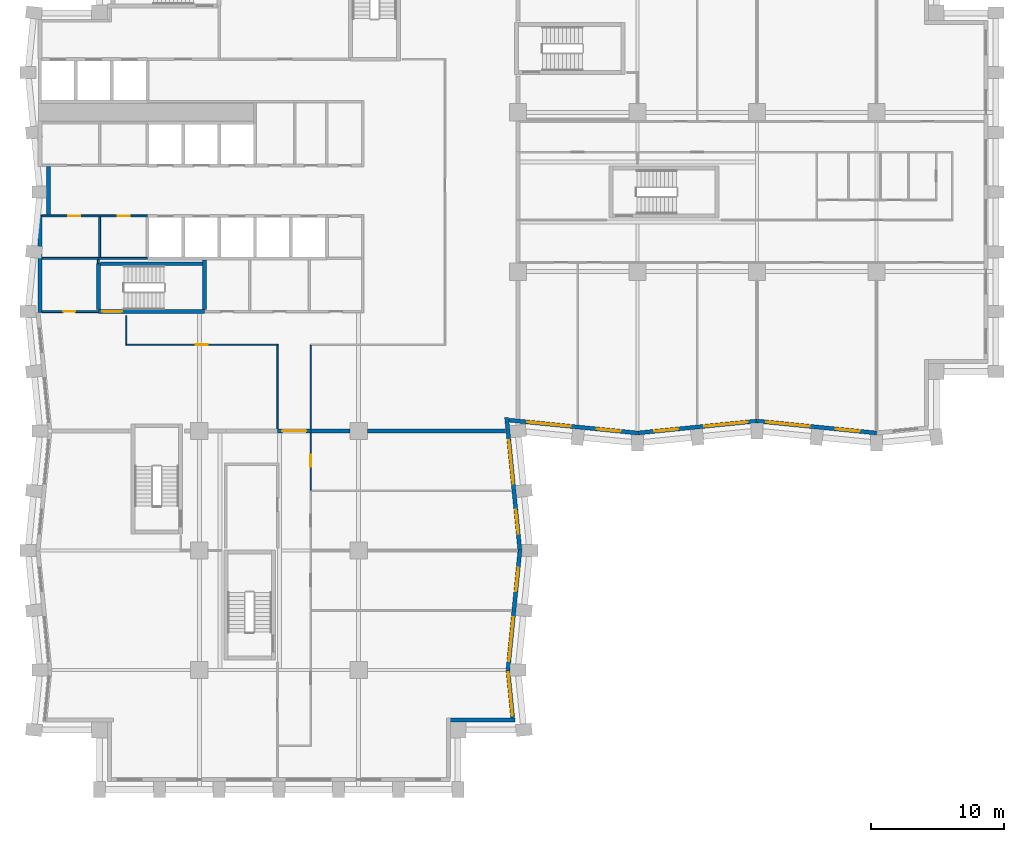
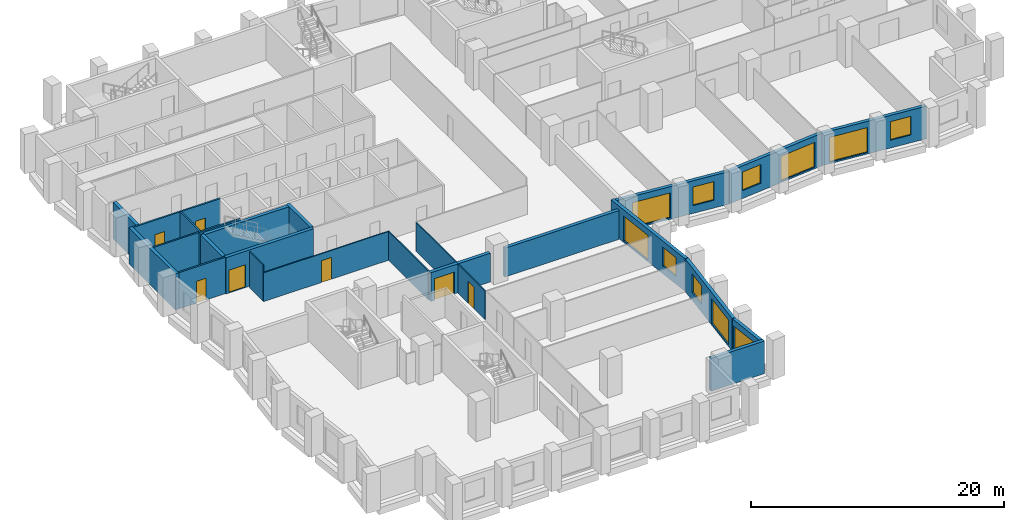
# One storey, part 4 of 11: 26 walls, 11 windows, 7 doors, 18 openings.
"""IFC4 building model written with IfcOpenShell, lengths in metres."""

from ifc_helpers import new_model, si_unit, direction, frame, frame_2d, origin, place, context, subcontext, project, spatial, rectangle, extrude, material, layer, layer_set, type_object, element, fill, save


model = new_model("IFC4")

# Units and contexts
model_context = context("Model", 3, precision=1e-05, world=origin(), true_north=direction((0.0, 1.0)))
body_context = subcontext(model_context, "Body", "Model", "MODEL_VIEW")
ifc_project = project(units=[si_unit("LENGTHUNIT", "METRE"), si_unit("AREAUNIT", "SQUARE_METRE"), si_unit("VOLUMEUNIT", "CUBIC_METRE"), si_unit("PLANEANGLEUNIT", "RADIAN"), si_unit("MASSUNIT", "GRAM", prefix="KILO")], contexts=[model_context])

# Site, building, storey
site_placement = place(None, origin())
site = spatial("IfcSite", under=ifc_project, at=site_placement, CompositionType="ELEMENT")
building_placement = place(site_placement, origin())
building = spatial("IfcBuilding", under=site, at=building_placement, Name="Brondeck Convention Tower", CompositionType="ELEMENT")
storey_placement = place(building_placement, frame((0.0, 0.0, 122.699951171875)))
storey = spatial("IfcBuildingStorey", under=building, at=storey_placement, Name="L29", CompositionType="ELEMENT", Elevation=122.699951171875)

# Wall, opening, door
ifc_material_1 = material(Name="Concrete compartment wall C30/37", Category="concrete")
ifc_layer_1 = layer(ifc_material_1, 0.300048828125)
ifc_layer_set_1 = layer_set([ifc_layer_1], Name="Compartment wall 300")
wall_type_1 = type_object("IfcWallType", Name="Compartment wall 300", PredefinedType="PARTITIONING", material=ifc_layer_set_1)
wall_1_placement = place(storey_placement, frame((20.39990234375, 27.0, 0.0), z_axis=(0.0, 0.0, 1.0), x_axis=(-1.0, 0.0, 0.0)))
wall_1 = element("IfcWall", 1, at=wall_1_placement, inside=storey, type_object=wall_type_1, Name="FLR-L29-W022", PredefinedType="PARTITIONING", context=body_context, shape_type="SweptSolid", body=[
    extrude(rectangle(XDim=2.5, YDim=0.300048828125, at=frame_2d((1.25, 0.0))), origin(), (0.0, 0.0, 1.0), 2.780029296875),
])
opening_1_placement = place(wall_1_placement, frame((0.35009765625, 0.0, 0.0)))
opening_1 = element("IfcOpeningElement", 2, at=opening_1_placement, cuts=wall_1, Name="Opening OF-D-025", PredefinedType="OPENING", context=body_context, shape_type="SweptSolid", body=[
    extrude(rectangle(XDim=1.800048828125, YDim=2.10009765625, at=frame_2d((0.89990234375, 1.050048828125))), frame((0.0, 0.159912109375, 0.0), z_axis=(0.0, -1.0, 0.0), x_axis=(1.0, 0.0, 0.0)), (0.0, 0.0, 1.0), 0.320068359375),
])
ifc_material_2 = material(Name="Steel fire door pair", Category="steel")
door_type_1 = type_object("IfcDoorType", Name="Fire door pair 1800", OperationType="DOUBLE_DOOR_SINGLE_SWING", PredefinedType="DOOR", material=ifc_material_2)
door_1_placement = place(opening_1_placement, origin())
door_1 = element("IfcDoor", 3, at=door_1_placement, inside=storey, type_object=door_type_1, Name="Door OF-D-025", OperationType="DOUBLE_DOOR_SINGLE_SWING", OverallHeight=2.10009765625, OverallWidth=1.800048828125, PredefinedType="DOOR", context=body_context, shape_type="SweptSolid", body=[
    extrude(rectangle(XDim=1.800048828125, YDim=2.10009765625, at=frame_2d((0.89990234375, 1.050048828125))), frame((0.0, 0.02490234375, 0.0), z_axis=(0.0, -1.0, 0.0), x_axis=(1.0, 0.0, 0.0)), (0.0, 0.0, 1.0), 0.050048828125),
])
fill(opening_1, door_1)

# Walls
wall_2_placement = place(storey_placement, frame((20.39990234375, 27.0, 0.0), z_axis=(0.0, 0.0, 1.0), x_axis=(1.0, 0.0, 0.0)))
element("IfcWall", 4, at=wall_2_placement, inside=storey, type_object=wall_type_1, Name="FLR-L29-W023", PredefinedType="PARTITIONING", context=body_context, shape_type="SweptSolid", body=[
    extrude(rectangle(XDim=2.945068359375, YDim=0.300048828125, at=frame_2d((1.47265625, 0.0))), origin(), (0.0, 0.0, 1.0), 2.780029296875),
])
wall_3_placement = place(storey_placement, frame((24.655029296875, 27.0, 0.0), z_axis=(0.0, 0.0, 1.0), x_axis=(1.0, 0.0, 0.0)))
element("IfcWall", 5, at=wall_3_placement, inside=storey, type_object=wall_type_1, Name="FLR-L29-W024", PredefinedType="PARTITIONING", context=body_context, shape_type="SweptSolid", body=[
    extrude(rectangle(XDim=10.42041015625, YDim=0.300048828125, at=frame_2d((5.210205078125, 0.0))), origin(), (0.0, 0.0, 1.0), 2.780029296875),
])
ifc_material_3 = material(Name="Concrete C70/85", Category="concrete")
ifc_layer_2 = layer(ifc_material_3, 0.300048828125)
ifc_layer_set_2 = layer_set([ifc_layer_2], Name="Core outer wall 300 Concrete C70/85")
wall_type_2 = type_object("IfcWallType", Name="Core outer wall 300 Concrete C70/85", PredefinedType="SHEAR", material=ifc_layer_set_2)
wall_4_placement = place(storey_placement, frame((0.0, 35.925048828125, 0.0), z_axis=(0.0, 0.0, 1.0), x_axis=(0.0, 1.0, 0.0)))
element("IfcWall", 6, at=wall_4_placement, inside=storey, type_object=wall_type_2, Name="L29 core wall", PredefinedType="SHEAR", context=body_context, shape_type="SweptSolid", body=[
    extrude(rectangle(XDim=7.349853515625, YDim=0.300048828125, at=frame_2d((3.6748046875, 0.0))), origin(), (0.0, 0.0, 1.0), 3.5),
])
wall_5_placement = place(storey_placement, frame((0.64990234375, 43.27490234375, 0.0), z_axis=(0.0, 0.0, 1.0), x_axis=(0.0, 1.0, 0.0)))
element("IfcWall", 7, at=wall_5_placement, inside=storey, type_object=wall_type_2, Name="L29 core wall", PredefinedType="SHEAR", context=body_context, shape_type="SweptSolid", body=[
    extrude(rectangle(XDim=3.650146484375, YDim=0.300048828125, at=frame_2d((1.8251953125, 0.0))), origin(), (0.0, 0.0, 1.0), 3.5),
])

# Wall, opening, door
ifc_material_4 = material(Name="Fire-rated gypsum board partition")
ifc_layer_3 = layer(ifc_material_4, 0.14990234375)
ifc_layer_set_3 = layer_set([ifc_layer_3], Name="Core partition 150 EI 60")
wall_type_3 = type_object("IfcWallType", Name="Core partition 150 EI 60", PredefinedType="PARTITIONING", material=ifc_layer_set_3)
wall_6_placement = place(storey_placement, frame((0.14990234375, 36.0, 0.0), z_axis=(0.0, 0.0, 1.0), x_axis=(1.0, 0.0, 0.0)))
wall_6 = element("IfcWall", 8, at=wall_6_placement, inside=storey, type_object=wall_type_3, Name="L29 core wall", PredefinedType="PARTITIONING", context=body_context, shape_type="SweptSolid", body=[
    extrude(rectangle(XDim=4.25, YDim=0.14990234375, at=frame_2d((2.125, 0.0))), origin(), (0.0, 0.0, 1.0), 3.5),
])
opening_2_placement = place(wall_6_placement, frame((1.60009765625, 0.0, 0.0)))
opening_2 = element("IfcOpeningElement", 9, at=opening_2_placement, cuts=wall_6, Name="Opening C17-06", PredefinedType="OPENING", context=body_context, shape_type="SweptSolid", body=[
    extrude(rectangle(XDim=0.89990234375, YDim=2.10009765625, at=frame_2d((0.449951171875, 1.050048828125))), frame((0.0, 0.0849609375, 0.0), z_axis=(0.0, -1.0, 0.0), x_axis=(1.0, 0.0, 0.0)), (0.0, 0.0, 1.0), 0.169921875),
])
ifc_material_5 = material(Name="Steel fire door", Category="steel")
door_type_2 = type_object("IfcDoorType", Name="Room door 900x2100 EI 60", OperationType="NOTDEFINED", PredefinedType="DOOR", material=ifc_material_5)
door_2_placement = place(opening_2_placement, origin())
door_2 = element("IfcDoor", 10, at=door_2_placement, inside=storey, type_object=door_type_2, Name="L29 Room door FRW-1", OperationType="SINGLE_SWING_LEFT", OverallHeight=2.10009765625, OverallWidth=0.89990234375, PredefinedType="DOOR", context=body_context, shape_type="SweptSolid", body=[
    extrude(rectangle(XDim=0.89990234375, YDim=2.10009765625, at=frame_2d((0.449951171875, 1.050048828125))), frame((0.0, 0.02490234375, 0.0), z_axis=(0.0, -1.0, 0.0), x_axis=(1.0, 0.0, 0.0)), (0.0, 0.0, 1.0), 0.050048828125),
])
fill(opening_2, door_2)

# Wall
wall_7_placement = place(storey_placement, frame((0.14990234375, 40.0, 0.0), z_axis=(0.0, 0.0, 1.0), x_axis=(1.0, 0.0, 0.0)))
element("IfcWall", 11, at=wall_7_placement, inside=storey, type_object=wall_type_3, Name="L29 core wall", PredefinedType="PARTITIONING", context=body_context, shape_type="SweptSolid", body=[
    extrude(rectangle(XDim=7.9501953125, YDim=0.14990234375, at=frame_2d((3.97509765625, 0.0))), origin(), (0.0, 0.0, 1.0), 3.5),
])

# Wall, openings, doors
wall_8_placement = place(storey_placement, frame((0.14990234375, 43.199951171875, 0.0), z_axis=(0.0, 0.0, 1.0), x_axis=(1.0, 0.0, 0.0)))
wall_8 = element("IfcWall", 12, at=wall_8_placement, inside=storey, type_object=wall_type_3, Name="L29 core wall", PredefinedType="PARTITIONING", context=body_context, shape_type="SweptSolid", body=[
    extrude(rectangle(XDim=7.9501953125, YDim=0.14990234375, at=frame_2d((3.97509765625, 0.0))), origin(), (0.0, 0.0, 1.0), 3.5),
])
opening_3_placement = place(wall_8_placement, frame((1.97509765625, 0.0, 0.0)))
opening_3 = element("IfcOpeningElement", 13, at=opening_3_placement, cuts=wall_8, Name="Opening C17-11", PredefinedType="OPENING", context=body_context, shape_type="SweptSolid", body=[
    extrude(rectangle(XDim=0.89990234375, YDim=2.10009765625, at=frame_2d((0.449951171875, 1.050048828125))), frame((0.0, 0.0849609375, 0.0), z_axis=(0.0, -1.0, 0.0), x_axis=(1.0, 0.0, 0.0)), (0.0, 0.0, 1.0), 0.169921875),
])
opening_4_placement = place(wall_8_placement, frame((5.699951171875, 0.0, 0.0)))
opening_4 = element("IfcOpeningElement", 14, at=opening_4_placement, cuts=wall_8, Name="Opening C17-12", PredefinedType="OPENING", context=body_context, shape_type="SweptSolid", body=[
    extrude(rectangle(XDim=0.89990234375, YDim=2.10009765625, at=frame_2d((0.449951171875, 1.050048828125))), frame((0.0, 0.0849609375, 0.0), z_axis=(0.0, -1.0, 0.0), x_axis=(1.0, 0.0, 0.0)), (0.0, 0.0, 1.0), 0.169921875),
])
door_3_placement = place(opening_3_placement, origin())
door_3 = element("IfcDoor", 15, at=door_3_placement, inside=storey, type_object=door_type_2, Name="L29 Room door FZ-S-0-1", OperationType="SINGLE_SWING_LEFT", OverallHeight=2.10009765625, OverallWidth=0.89990234375, PredefinedType="DOOR", context=body_context, shape_type="SweptSolid", body=[
    extrude(rectangle(XDim=0.89990234375, YDim=2.10009765625, at=frame_2d((0.449951171875, 1.050048828125))), frame((0.0, 0.02490234375, 0.0), z_axis=(0.0, -1.0, 0.0), x_axis=(1.0, 0.0, 0.0)), (0.0, 0.0, 1.0), 0.050048828125),
])
fill(opening_3, door_3)
door_4_placement = place(opening_4_placement, origin())
door_4 = element("IfcDoor", 16, at=door_4_placement, inside=storey, type_object=door_type_2, Name="L29 Room door FZ-S-0-2", OperationType="SINGLE_SWING_RIGHT", OverallHeight=2.10009765625, OverallWidth=0.89990234375, PredefinedType="DOOR", context=body_context, shape_type="SweptSolid", body=[
    extrude(rectangle(XDim=0.89990234375, YDim=2.10009765625, at=frame_2d((0.449951171875, 1.050048828125))), frame((0.0, 0.02490234375, 0.0), z_axis=(0.0, -1.0, 0.0), x_axis=(1.0, 0.0, 0.0)), (0.0, 0.0, 1.0), 0.050048828125),
])
fill(opening_4, door_4)

# Walls
wall_9_placement = place(storey_placement, frame((4.39990234375, 39.60009765625, 0.0), z_axis=(0.0, 0.0, 1.0), x_axis=(0.0, 1.0, 0.0)))
element("IfcWall", 17, at=wall_9_placement, inside=storey, type_object=wall_type_3, Name="L29 core wall", PredefinedType="PARTITIONING", context=body_context, shape_type="SweptSolid", body=[
    extrude(rectangle(XDim=0.324951171875, YDim=0.14990234375, at=frame_2d((0.16259765625, 0.0))), origin(), (0.0, 0.0, 1.0), 3.5),
])
wall_10_placement = place(storey_placement, frame((4.5, 40.074951171875, 0.0), z_axis=(0.0, 0.0, 1.0), x_axis=(0.0, 1.0, 0.0)))
element("IfcWall", 18, at=wall_10_placement, inside=storey, type_object=wall_type_3, Name="L29 core wall", PredefinedType="PARTITIONING", context=body_context, shape_type="SweptSolid", body=[
    extrude(rectangle(XDim=3.050048828125, YDim=0.14990234375, at=frame_2d((1.52490234375, 0.0))), origin(), (0.0, 0.0, 1.0), 3.5),
])
ifc_material_6 = material(Name="Precast concrete C50/60 bronze finish", Category="concrete")
ifc_layer_4 = layer(ifc_material_6, 0.070068359375, Name="Bronze precast facing")
ifc_material_7 = material(Name="Mineral wool")
ifc_layer_5 = layer(ifc_material_7, 0.159912109375, Name="Insulation")
ifc_material_8 = material(Name="Concrete C35/45", Category="concrete")
ifc_layer_6 = layer(ifc_material_8, 0.070068359375, Name="Backing")
ifc_layer_set_4 = layer_set([ifc_layer_4, ifc_layer_5, ifc_layer_6], Name="External infill wall, precast concrete C50/60 bronze facing")
wall_type_4 = type_object("IfcWallType", Name="External infill wall, precast concrete C50/60 bronze facing", PredefinedType="SOLIDWALL", material=ifc_layer_set_4)
wall_11_placement = place(storey_placement, frame((35.787109375, 5.25, 0.0), z_axis=(0.0, 0.0, 1.0), x_axis=(-1.0, 0.0, 0.0)))
element("IfcWall", 19, at=wall_11_placement, inside=storey, type_object=wall_type_4, Name="ENV-EW-L29-P0-NC-SEB0-02", PredefinedType="SOLIDWALL", context=body_context, shape_type="SweptSolid", body=[
    extrude(rectangle(XDim=4.88720703125, YDim=0.300048828125, at=frame_2d((2.443603515625, 0.0))), origin(), (0.0, 0.0, 1.0), 3.150146484375),
])

# Wall, opening, window
wall_12_placement = place(storey_placement, frame((35.244873046875, 9.014892578125, 0.0), z_axis=(0.0, 0.0, 1.0), x_axis=(0.099470401798, -0.995040521369, 0.0)))
wall_12 = element("IfcWall", 20, at=wall_12_placement, inside=storey, type_object=wall_type_4, Name="ENV-EW-L29-P0-B-E-04", PredefinedType="SOLIDWALL", context=body_context, shape_type="SweptSolid", body=[
    extrude(rectangle(XDim=3.627685546875, YDim=0.300048828125, at=frame_2d((1.81396484375, 0.0))), origin(), (0.0, 0.0, 1.0), 3.150146484375),
])
opening_5_placement = place(wall_12_placement, frame((0.177734375, 0.0, 0.14990234375)))
opening_5 = element("IfcOpeningElement", 21, at=opening_5_placement, cuts=wall_12, Name="Opening W9", PredefinedType="OPENING", context=body_context, shape_type="SweptSolid", body=[
    extrude(rectangle(XDim=3.300048828125, YDim=2.39990234375, at=frame_2d((1.64990234375, 1.199951171875))), frame((0.0, 0.159912109375, 0.0), z_axis=(0.0, -1.0, 0.0), x_axis=(1.0, 0.0, 0.0)), (0.0, 0.0, 1.0), 0.320068359375),
])
ifc_material_9 = material(Name="Bronze tinted double glazing", Category="glass")
window_type_1 = type_object("IfcWindowType", Name="Glazed flute window, bronze tinted", PartitioningType="SINGLE_PANEL", PredefinedType="WINDOW", material=ifc_material_9)
window_1_placement = place(opening_5_placement, origin())
window_1 = element("IfcWindow", 22, at=window_1_placement, inside=storey, type_object=window_type_1, Name="ENV-WN-L29-P0-B-E-04", OverallHeight=2.39990234375, OverallWidth=3.300048828125, PartitioningType="SINGLE_PANEL", PredefinedType="WINDOW", context=body_context, shape_type="SweptSolid", body=[
    extrude(rectangle(XDim=3.300048828125, YDim=2.39990234375, at=frame_2d((1.64990234375, 1.199951171875))), frame((0.0, 0.030029296875, 0.0), z_axis=(0.0, -1.0, 0.0), x_axis=(1.0, 0.0, 0.0)), (0.0, 0.0, 1.0), 0.06005859375),
])
fill(opening_5, window_1)

# Wall, openings, windows
wall_13_placement = place(storey_placement, frame((36.147705078125, 18.014892578125, 0.0), z_axis=(0.0, 0.0, 1.0), x_axis=(-0.099495688264, -0.995037993253, 0.0)))
wall_13 = element("IfcWall", 23, at=wall_13_placement, inside=storey, type_object=wall_type_4, Name="ENV-EW-L29-P0-B-E-03", PredefinedType="SOLIDWALL", context=body_context, shape_type="SweptSolid", body=[
    extrude(rectangle(XDim=9.030029296875, YDim=0.300048828125, at=frame_2d((4.51513671875, 0.0))), origin(), (0.0, 0.0, 1.0), 3.150146484375),
])
opening_6_placement = place(wall_13_placement, frame((1.30126953125, 0.0, 0.75)))
opening_6 = element("IfcOpeningElement", 24, at=opening_6_placement, cuts=wall_13, Name="Opening W10", PredefinedType="OPENING", context=body_context, shape_type="SweptSolid", body=[
    extrude(rectangle(XDim=1.800048828125, YDim=1.800048828125, at=frame_2d((0.89990234375, 0.89990234375))), frame((0.0, 0.159912109375, 0.0), z_axis=(0.0, -1.0, 0.0), x_axis=(1.0, 0.0, 0.0)), (0.0, 0.0, 1.0), 0.320068359375),
])
opening_7_placement = place(wall_13_placement, frame((5.073486328125, 0.0, 0.14990234375)))
opening_7 = element("IfcOpeningElement", 25, at=opening_7_placement, cuts=wall_13, Name="Opening W9", PredefinedType="OPENING", context=body_context, shape_type="SweptSolid", body=[
    extrude(rectangle(XDim=3.300048828125, YDim=2.39990234375, at=frame_2d((1.64990234375, 1.199951171875))), frame((0.0, 0.159912109375, 0.0), z_axis=(0.0, -1.0, 0.0), x_axis=(1.0, 0.0, 0.0)), (0.0, 0.0, 1.0), 0.320068359375),
])
window_2_placement = place(opening_7_placement, origin())
window_2 = element("IfcWindow", 26, at=window_2_placement, inside=storey, type_object=window_type_1, Name="ENV-WN-L29-P0-B-E-03", OverallHeight=2.39990234375, OverallWidth=3.300048828125, PartitioningType="SINGLE_PANEL", PredefinedType="WINDOW", context=body_context, shape_type="SweptSolid", body=[
    extrude(rectangle(XDim=3.300048828125, YDim=2.39990234375, at=frame_2d((1.64990234375, 1.199951171875))), frame((0.0, 0.030029296875, 0.0), z_axis=(0.0, -1.0, 0.0), x_axis=(1.0, 0.0, 0.0)), (0.0, 0.0, 1.0), 0.06005859375),
])
fill(opening_7, window_2)
window_type_2 = type_object("IfcWindowType", Name="Punched window, bronze tinted", PartitioningType="SINGLE_PANEL", PredefinedType="WINDOW", material=ifc_material_9)
window_3_placement = place(opening_6_placement, origin())
window_3 = element("IfcWindow", 27, at=window_3_placement, inside=storey, type_object=window_type_2, Name="ENV-WN-L29-P0-B-E-02", OverallHeight=1.800048828125, OverallWidth=1.800048828125, PartitioningType="SINGLE_PANEL", PredefinedType="WINDOW", context=body_context, shape_type="SweptSolid", body=[
    extrude(rectangle(XDim=1.800048828125, YDim=1.800048828125, at=frame_2d((0.89990234375, 0.89990234375))), frame((0.0, 0.030029296875, 0.0), z_axis=(0.0, -1.0, 0.0), x_axis=(1.0, 0.0, 0.0)), (0.0, 0.0, 1.0), 0.06005859375),
])
fill(opening_6, window_3)

wall_14_placement = place(storey_placement, frame((35.144287109375, 28.02001953125, 0.0), z_axis=(0.0, 0.0, 1.0), x_axis=(0.099503719021, -0.99503719021, 0.0)))
wall_14 = element("IfcWall", 28, at=wall_14_placement, inside=storey, type_object=wall_type_4, Name="ENV-EW-L29-P0-B-E-01", PredefinedType="SOLIDWALL", context=body_context, shape_type="SweptSolid", body=[
    extrude(rectangle(XDim=10.0400390625, YDim=0.300048828125, at=frame_2d((5.02001953125, 0.0))), origin(), (0.0, 0.0, 1.0), 3.150146484375),
])
opening_8_placement = place(wall_14_placement, frame((1.711181640625, 0.0, 0.14990234375)))
opening_8 = element("IfcOpeningElement", 29, at=opening_8_placement, cuts=wall_14, Name="Opening W9", PredefinedType="OPENING", context=body_context, shape_type="SweptSolid", body=[
    extrude(rectangle(XDim=3.300048828125, YDim=2.39990234375, at=frame_2d((1.64990234375, 1.199951171875))), frame((0.0, 0.159912109375, 0.0), z_axis=(0.0, -1.0, 0.0), x_axis=(1.0, 0.0, 0.0)), (0.0, 0.0, 1.0), 0.320068359375),
])
opening_9_placement = place(wall_14_placement, frame((6.983642578125, 0.0, 0.75)))
opening_9 = element("IfcOpeningElement", 30, at=opening_9_placement, cuts=wall_14, Name="Opening W10", PredefinedType="OPENING", context=body_context, shape_type="SweptSolid", body=[
    extrude(rectangle(XDim=1.800048828125, YDim=1.800048828125, at=frame_2d((0.89990234375, 0.89990234375))), frame((0.0, 0.159912109375, 0.0), z_axis=(0.0, -1.0, 0.0), x_axis=(1.0, 0.0, 0.0)), (0.0, 0.0, 1.0), 0.320068359375),
])
window_4_placement = place(opening_8_placement, origin())
window_4 = element("IfcWindow", 31, at=window_4_placement, inside=storey, type_object=window_type_1, Name="ENV-WN-L29-P0-B-E-00", OverallHeight=2.39990234375, OverallWidth=3.300048828125, PartitioningType="SINGLE_PANEL", PredefinedType="WINDOW", context=body_context, shape_type="SweptSolid", body=[
    extrude(rectangle(XDim=3.300048828125, YDim=2.39990234375, at=frame_2d((1.64990234375, 1.199951171875))), frame((0.0, 0.030029296875, 0.0), z_axis=(0.0, -1.0, 0.0), x_axis=(1.0, 0.0, 0.0)), (0.0, 0.0, 1.0), 0.06005859375),
])
fill(opening_8, window_4)
window_5_placement = place(opening_9_placement, origin())
window_5 = element("IfcWindow", 32, at=window_5_placement, inside=storey, type_object=window_type_2, Name="ENV-WN-L29-P0-B-E-01", OverallHeight=1.800048828125, OverallWidth=1.800048828125, PartitioningType="SINGLE_PANEL", PredefinedType="WINDOW", context=body_context, shape_type="SweptSolid", body=[
    extrude(rectangle(XDim=1.800048828125, YDim=1.800048828125, at=frame_2d((0.89990234375, 0.89990234375))), frame((0.0, 0.030029296875, 0.0), z_axis=(0.0, -1.0, 0.0), x_axis=(1.0, 0.0, 0.0)), (0.0, 0.0, 1.0), 0.06005859375),
])
fill(opening_9, window_5)

wall_15_placement = place(storey_placement, frame((45.014892578125, 26.852294921875, 0.0), z_axis=(0.0, 0.0, 1.0), x_axis=(-0.995037438546, 0.099501235631, 0.0)))
wall_15 = element("IfcWall", 33, at=wall_15_placement, inside=storey, type_object=wall_type_4, Name="ENV-EW-L29-P0-A-S-00", PredefinedType="SOLIDWALL", context=body_context, shape_type="SweptSolid", body=[
    extrude(rectangle(XDim=9.733642578125, YDim=0.300048828125, at=frame_2d((4.86669921875, 0.0))), origin(), (0.0, 0.0, 1.0), 3.150146484375),
])
opening_10_placement = place(wall_15_placement, frame((1.30126953125, 0.0, 0.75)))
opening_10 = element("IfcOpeningElement", 34, at=opening_10_placement, cuts=wall_15, Name="Opening W10", PredefinedType="OPENING", context=body_context, shape_type="SweptSolid", body=[
    extrude(rectangle(XDim=1.800048828125, YDim=1.800048828125, at=frame_2d((0.89990234375, 0.89990234375))), frame((0.0, 0.159912109375, 0.0), z_axis=(0.0, -1.0, 0.0), x_axis=(1.0, 0.0, 0.0)), (0.0, 0.0, 1.0), 0.320068359375),
])
opening_11_placement = place(wall_15_placement, frame((5.073486328125, 0.0, 0.14990234375)))
opening_11 = element("IfcOpeningElement", 35, at=opening_11_placement, cuts=wall_15, Name="Opening W9", PredefinedType="OPENING", context=body_context, shape_type="SweptSolid", body=[
    extrude(rectangle(XDim=3.300048828125, YDim=2.39990234375, at=frame_2d((1.64990234375, 1.199951171875))), frame((0.0, 0.159912109375, 0.0), z_axis=(0.0, -1.0, 0.0), x_axis=(1.0, 0.0, 0.0)), (0.0, 0.0, 1.0), 0.320068359375),
])
window_6_placement = place(opening_11_placement, origin())
window_6 = element("IfcWindow", 36, at=window_6_placement, inside=storey, type_object=window_type_1, Name="ENV-WN-L29-P0-A-S-00", OverallHeight=2.39990234375, OverallWidth=3.300048828125, PartitioningType="SINGLE_PANEL", PredefinedType="WINDOW", context=body_context, shape_type="SweptSolid", body=[
    extrude(rectangle(XDim=3.300048828125, YDim=2.39990234375, at=frame_2d((1.64990234375, 1.199951171875))), frame((0.0, 0.030029296875, 0.0), z_axis=(0.0, -1.0, 0.0), x_axis=(1.0, 0.0, 0.0)), (0.0, 0.0, 1.0), 0.06005859375),
])
fill(opening_11, window_6)
window_7_placement = place(opening_10_placement, origin())
window_7 = element("IfcWindow", 37, at=window_7_placement, inside=storey, type_object=window_type_2, Name="ENV-WN-L29-P0-A-S-01", OverallHeight=1.800048828125, OverallWidth=1.800048828125, PartitioningType="SINGLE_PANEL", PredefinedType="WINDOW", context=body_context, shape_type="SweptSolid", body=[
    extrude(rectangle(XDim=1.800048828125, YDim=1.800048828125, at=frame_2d((0.89990234375, 0.89990234375))), frame((0.0, 0.030029296875, 0.0), z_axis=(0.0, -1.0, 0.0), x_axis=(1.0, 0.0, 0.0)), (0.0, 0.0, 1.0), 0.06005859375),
])
fill(opening_10, window_7)

wall_16_placement = place(storey_placement, frame((54.014892578125, 27.755126953125, 0.0), z_axis=(0.0, 0.0, 1.0), x_axis=(-0.995037993253, -0.099495688264, 0.0)))
wall_16 = element("IfcWall", 38, at=wall_16_placement, inside=storey, type_object=wall_type_4, Name="ENV-EW-L29-P0-A-S-02", PredefinedType="SOLIDWALL", context=body_context, shape_type="SweptSolid", body=[
    extrude(rectangle(XDim=9.030029296875, YDim=0.300048828125, at=frame_2d((4.51513671875, 0.0))), origin(), (0.0, 0.0, 1.0), 3.150146484375),
])
opening_12_placement = place(wall_16_placement, frame((0.701171875, 0.0, 0.14990234375)))
opening_12 = element("IfcOpeningElement", 39, at=opening_12_placement, cuts=wall_16, Name="Opening W9", PredefinedType="OPENING", context=body_context, shape_type="SweptSolid", body=[
    extrude(rectangle(XDim=3.300048828125, YDim=2.39990234375, at=frame_2d((1.64990234375, 1.199951171875))), frame((0.0, 0.159912109375, 0.0), z_axis=(0.0, -1.0, 0.0), x_axis=(1.0, 0.0, 0.0)), (0.0, 0.0, 1.0), 0.320068359375),
])
opening_13_placement = place(wall_16_placement, frame((5.9736328125, 0.0, 0.75)))
opening_13 = element("IfcOpeningElement", 40, at=opening_13_placement, cuts=wall_16, Name="Opening W10", PredefinedType="OPENING", context=body_context, shape_type="SweptSolid", body=[
    extrude(rectangle(XDim=1.800048828125, YDim=1.800048828125, at=frame_2d((0.89990234375, 0.89990234375))), frame((0.0, 0.159912109375, 0.0), z_axis=(0.0, -1.0, 0.0), x_axis=(1.0, 0.0, 0.0)), (0.0, 0.0, 1.0), 0.320068359375),
])
window_8_placement = place(opening_12_placement, origin())
window_8 = element("IfcWindow", 41, at=window_8_placement, inside=storey, type_object=window_type_1, Name="ENV-WN-L29-P0-A-S-03", OverallHeight=2.39990234375, OverallWidth=3.300048828125, PartitioningType="SINGLE_PANEL", PredefinedType="WINDOW", context=body_context, shape_type="SweptSolid", body=[
    extrude(rectangle(XDim=3.300048828125, YDim=2.39990234375, at=frame_2d((1.64990234375, 1.199951171875))), frame((0.0, 0.030029296875, 0.0), z_axis=(0.0, -1.0, 0.0), x_axis=(1.0, 0.0, 0.0)), (0.0, 0.0, 1.0), 0.06005859375),
])
fill(opening_12, window_8)
window_9_placement = place(opening_13_placement, origin())
window_9 = element("IfcWindow", 42, at=window_9_placement, inside=storey, type_object=window_type_2, Name="ENV-WN-L29-P0-A-S-02", OverallHeight=1.800048828125, OverallWidth=1.800048828125, PartitioningType="SINGLE_PANEL", PredefinedType="WINDOW", context=body_context, shape_type="SweptSolid", body=[
    extrude(rectangle(XDim=1.800048828125, YDim=1.800048828125, at=frame_2d((0.89990234375, 0.89990234375))), frame((0.0, 0.030029296875, 0.0), z_axis=(0.0, -1.0, 0.0), x_axis=(1.0, 0.0, 0.0)), (0.0, 0.0, 1.0), 0.06005859375),
])
fill(opening_13, window_9)

wall_17_placement = place(storey_placement, frame((63.014892578125, 26.852294921875, 0.0), z_axis=(0.0, 0.0, 1.0), x_axis=(-0.995037993253, 0.099495688264, 0.0)))
wall_17 = element("IfcWall", 43, at=wall_17_placement, inside=storey, type_object=wall_type_4, Name="ENV-EW-L29-P0-A-S-04", PredefinedType="SOLIDWALL", context=body_context, shape_type="SweptSolid", body=[
    extrude(rectangle(XDim=9.030029296875, YDim=0.300048828125, at=frame_2d((4.51513671875, 0.0))), origin(), (0.0, 0.0, 1.0), 3.150146484375),
])
opening_14_placement = place(wall_17_placement, frame((1.30126953125, 0.0, 0.75)))
opening_14 = element("IfcOpeningElement", 44, at=opening_14_placement, cuts=wall_17, Name="Opening W10", PredefinedType="OPENING", context=body_context, shape_type="SweptSolid", body=[
    extrude(rectangle(XDim=1.800048828125, YDim=1.800048828125, at=frame_2d((0.89990234375, 0.89990234375))), frame((0.0, 0.159912109375, 0.0), z_axis=(0.0, -1.0, 0.0), x_axis=(1.0, 0.0, 0.0)), (0.0, 0.0, 1.0), 0.320068359375),
])
opening_15_placement = place(wall_17_placement, frame((5.073486328125, 0.0, 0.14990234375)))
opening_15 = element("IfcOpeningElement", 45, at=opening_15_placement, cuts=wall_17, Name="Opening W9", PredefinedType="OPENING", context=body_context, shape_type="SweptSolid", body=[
    extrude(rectangle(XDim=3.300048828125, YDim=2.39990234375, at=frame_2d((1.64990234375, 1.199951171875))), frame((0.0, 0.159912109375, 0.0), z_axis=(0.0, -1.0, 0.0), x_axis=(1.0, 0.0, 0.0)), (0.0, 0.0, 1.0), 0.320068359375),
])
window_10_placement = place(opening_15_placement, origin())
window_10 = element("IfcWindow", 46, at=window_10_placement, inside=storey, type_object=window_type_1, Name="ENV-WN-L29-P0-A-S-04", OverallHeight=2.39990234375, OverallWidth=3.300048828125, PartitioningType="SINGLE_PANEL", PredefinedType="WINDOW", context=body_context, shape_type="SweptSolid", body=[
    extrude(rectangle(XDim=3.300048828125, YDim=2.39990234375, at=frame_2d((1.64990234375, 1.199951171875))), frame((0.0, 0.030029296875, 0.0), z_axis=(0.0, -1.0, 0.0), x_axis=(1.0, 0.0, 0.0)), (0.0, 0.0, 1.0), 0.06005859375),
])
fill(opening_15, window_10)
window_11_placement = place(opening_14_placement, origin())
window_11 = element("IfcWindow", 47, at=window_11_placement, inside=storey, type_object=window_type_2, Name="ENV-WN-L29-P0-A-S-05", OverallHeight=1.800048828125, OverallWidth=1.800048828125, PartitioningType="SINGLE_PANEL", PredefinedType="WINDOW", context=body_context, shape_type="SweptSolid", body=[
    extrude(rectangle(XDim=1.800048828125, YDim=1.800048828125, at=frame_2d((0.89990234375, 0.89990234375))), frame((0.0, 0.030029296875, 0.0), z_axis=(0.0, -1.0, 0.0), x_axis=(1.0, 0.0, 0.0)), (0.0, 0.0, 1.0), 0.06005859375),
])
fill(opening_14, window_11)

# Wall, opening, door
ifc_material_10 = material(Name="Gypsum board partition on steel studs", Category="steel")
ifc_layer_7 = layer(ifc_material_10, 0.10009765625)
ifc_layer_set_5 = layer_set([ifc_layer_7], Name="Room partition 100")
wall_type_5 = type_object("IfcWallType", Name="Room partition 100", PredefinedType="PARTITIONING", material=ifc_layer_set_5)
wall_18_placement = place(storey_placement, frame((20.39990234375, 26.830078125, 0.0), z_axis=(0.0, 0.0, 1.0), x_axis=(0.0, -1.0, 0.0)))
wall_18 = element("IfcWall", 48, at=wall_18_placement, inside=storey, type_object=wall_type_5, Name="FLR-L29-W017", PredefinedType="PARTITIONING", context=body_context, shape_type="SweptSolid", body=[
    extrude(rectangle(XDim=4.280029296875, YDim=0.10009765625, at=frame_2d((2.14013671875, 0.0))), origin(), (0.0, 0.0, 1.0), 2.780029296875),
])
opening_16_placement = place(wall_18_placement, frame((1.6298828125, 0.0, 0.0)))
opening_16 = element("IfcOpeningElement", 49, at=opening_16_placement, cuts=wall_18, Name="Opening OF-D-018", PredefinedType="OPENING", context=body_context, shape_type="SweptSolid", body=[
    extrude(rectangle(XDim=0.89990234375, YDim=2.10009765625, at=frame_2d((0.449951171875, 1.050048828125))), frame((0.0, 0.06005859375, 0.0), z_axis=(0.0, -1.0, 0.0), x_axis=(1.0, 0.0, 0.0)), (0.0, 0.0, 1.0), 0.1201171875),
])
ifc_material_11 = material(Name="Solid timber door leaf", Category="wood")
door_type_3 = type_object("IfcDoorType", Name="Single door 900", OperationType="NOTDEFINED", PredefinedType="DOOR", material=ifc_material_11)
door_5_placement = place(opening_16_placement, origin())
door_5 = element("IfcDoor", 50, at=door_5_placement, inside=storey, type_object=door_type_3, Name="Door OF-D-018", OperationType="SINGLE_SWING_LEFT", OverallHeight=2.10009765625, OverallWidth=0.89990234375, PredefinedType="DOOR", context=body_context, shape_type="SweptSolid", body=[
    extrude(rectangle(XDim=0.89990234375, YDim=2.10009765625, at=frame_2d((0.449951171875, 1.050048828125))), frame((0.0, 0.02490234375, 0.0), z_axis=(0.0, -1.0, 0.0), x_axis=(1.0, 0.0, 0.0)), (0.0, 0.0, 1.0), 0.050048828125),
])
fill(opening_16, door_5)

# Walls
for number, where, z_axis, x_axis, name in (
    (51, (17.89990234375, 27.169921875, 0.0), (0.0, 0.0, 1.0), (0.0, 1.0, 0.0), "FLR-L29-W025"),
    (52, (20.39990234375, 33.449951171875, 0.0), (0.0, 0.0, 1.0), (0.0, -1.0, 0.0), "FLR-L29-W027"),
):
    element("IfcWall", number, at=place(storey_placement, frame(where, z_axis=z_axis, x_axis=x_axis)), inside=storey, type_object=wall_type_5, Name=name, PredefinedType="PARTITIONING", context=body_context, shape_type="SweptSolid", body=[
        extrude(rectangle(XDim=6.280029296875, YDim=0.10009765625, at=frame_2d((3.14013671875, 0.0))), origin(), (0.0, 0.0, 1.0), 2.780029296875),
    ])

# Wall, opening, door
wall_19_placement = place(storey_placement, frame((17.949951171875, 33.5, 0.0), z_axis=(0.0, 0.0, 1.0), x_axis=(-1.0, 0.0, 0.0)))
wall_19 = element("IfcWall", 53, at=wall_19_placement, inside=storey, type_object=wall_type_5, Name="FLR-L29-W028", PredefinedType="PARTITIONING", context=body_context, shape_type="SweptSolid", body=[
    extrude(rectangle(XDim=11.5, YDim=0.10009765625, at=frame_2d((5.75, 0.0))), origin(), (0.0, 0.0, 1.0), 2.780029296875),
])
opening_17_placement = place(wall_19_placement, frame((5.300048828125, 0.0, 0.0)))
opening_17 = element("IfcOpeningElement", 54, at=opening_17_placement, cuts=wall_19, Name="Opening OF-D-023", PredefinedType="OPENING", context=body_context, shape_type="SweptSolid", body=[
    extrude(rectangle(XDim=0.89990234375, YDim=2.10009765625, at=frame_2d((0.449951171875, 1.050048828125))), frame((0.0, 0.06005859375, 0.0), z_axis=(0.0, -1.0, 0.0), x_axis=(1.0, 0.0, 0.0)), (0.0, 0.0, 1.0), 0.1201171875),
])
door_6_placement = place(opening_17_placement, origin())
door_6 = element("IfcDoor", 55, at=door_6_placement, inside=storey, type_object=door_type_3, Name="Door OF-D-023", OperationType="SINGLE_SWING_LEFT", OverallHeight=2.10009765625, OverallWidth=0.89990234375, PredefinedType="DOOR", context=body_context, shape_type="SweptSolid", body=[
    extrude(rectangle(XDim=0.89990234375, YDim=2.10009765625, at=frame_2d((0.449951171875, 1.050048828125))), frame((0.0, 0.02490234375, 0.0), z_axis=(0.0, -1.0, 0.0), x_axis=(1.0, 0.0, 0.0)), (0.0, 0.0, 1.0), 0.050048828125),
])
fill(opening_17, door_6)

# Wall
wall_20_placement = place(storey_placement, frame((6.5, 33.550048828125, 0.0), z_axis=(0.0, 0.0, 1.0), x_axis=(0.0, 1.0, 0.0)))
element("IfcWall", 56, at=wall_20_placement, inside=storey, type_object=wall_type_5, Name="FLR-L29-W030", PredefinedType="PARTITIONING", context=body_context, shape_type="SweptSolid", body=[
    extrude(rectangle(XDim=2.14990234375, YDim=0.10009765625, at=frame_2d((1.074951171875, 0.0))), origin(), (0.0, 0.0, 1.0), 3.47998046875),
])

# Wall, opening, door
ifc_layer_8 = layer(ifc_material_3, 0.300048828125)
ifc_layer_set_6 = layer_set([ifc_layer_8], Name="Stair enclosure wall 300 Concrete C70/85")
wall_type_6 = type_object("IfcWallType", Name="Stair enclosure wall 300 Concrete C70/85", PredefinedType="SHEAR", material=ifc_layer_set_6)
wall_21_placement = place(storey_placement, frame((4.39990234375, 36.0, 0.0), z_axis=(0.0, 0.0, 1.0), x_axis=(1.0, 0.0, 0.0)))
wall_21 = element("IfcWall", 57, at=wall_21_placement, inside=storey, type_object=wall_type_6, Name="L29 core wall", PredefinedType="SHEAR", context=body_context, shape_type="SweptSolid", body=[
    extrude(rectangle(XDim=8.0, YDim=0.300048828125, at=frame_2d((4.0, 0.0))), origin(), (0.0, 0.0, 1.0), 3.5),
])
opening_18_placement = place(wall_21_placement, frame((0.300048828125, 0.0, 0.0)))
opening_18 = element("IfcOpeningElement", 58, at=opening_18_placement, cuts=wall_21, Name="Opening C17-15", PredefinedType="OPENING", context=body_context, shape_type="SweptSolid", body=[
    extrude(rectangle(XDim=1.5, YDim=2.199951171875, at=frame_2d((0.75, 1.10009765625))), frame((0.0, 0.159912109375, 0.0), z_axis=(0.0, -1.0, 0.0), x_axis=(1.0, 0.0, 0.0)), (0.0, 0.0, 1.0), 0.320068359375),
])
door_type_4 = type_object("IfcDoorType", Name="Stair door 1500x2200 EI 90", OperationType="NOTDEFINED", PredefinedType="DOOR", material=ifc_material_5)
door_7_placement = place(opening_18_placement, origin())
door_7 = element("IfcDoor", 59, at=door_7_placement, inside=storey, type_object=door_type_4, Name="L29 Stair door ST-1", OperationType="SINGLE_SWING_RIGHT", OverallHeight=2.199951171875, OverallWidth=1.5, PredefinedType="DOOR", context=body_context, shape_type="SweptSolid", body=[
    extrude(rectangle(XDim=1.5, YDim=2.199951171875, at=frame_2d((0.75, 1.10009765625))), frame((0.0, 0.02490234375, 0.0), z_axis=(0.0, -1.0, 0.0), x_axis=(1.0, 0.0, 0.0)), (0.0, 0.0, 1.0), 0.050048828125),
])
fill(opening_18, door_7)

# Walls
wall_22_placement = place(storey_placement, frame((4.550048828125, 39.60009765625, 0.0), z_axis=(0.0, 0.0, 1.0), x_axis=(1.0, 0.0, 0.0)))
element("IfcWall", 60, at=wall_22_placement, inside=storey, type_object=wall_type_6, Name="L29 core wall", PredefinedType="SHEAR", context=body_context, shape_type="SweptSolid", body=[
    extrude(rectangle(XDim=7.699951171875, YDim=0.300048828125, at=frame_2d((3.85009765625, 0.0))), origin(), (0.0, 0.0, 1.0), 3.5),
])
wall_23_placement = place(storey_placement, frame((4.39990234375, 36.14990234375, 0.0), z_axis=(0.0, 0.0, 1.0), x_axis=(0.0, 1.0, 0.0)))
element("IfcWall", 61, at=wall_23_placement, inside=storey, type_object=wall_type_6, Name="L29 core wall", PredefinedType="SHEAR", context=body_context, shape_type="SweptSolid", body=[
    extrude(rectangle(XDim=3.4501953125, YDim=0.300048828125, at=frame_2d((1.72509765625, 0.0))), origin(), (0.0, 0.0, 1.0), 3.5),
])
wall_24_placement = place(storey_placement, frame((12.39990234375, 36.14990234375, 0.0), z_axis=(0.0, 0.0, 1.0), x_axis=(0.0, 1.0, 0.0)))
element("IfcWall", 62, at=wall_24_placement, inside=storey, type_object=wall_type_6, Name="L29 core wall", PredefinedType="SHEAR", context=body_context, shape_type="SweptSolid", body=[
    extrude(rectangle(XDim=3.72509765625, YDim=0.300048828125, at=frame_2d((1.862548828125, 0.0))), origin(), (0.0, 0.0, 1.0), 3.5),
])

save(model, "model.ifc")
